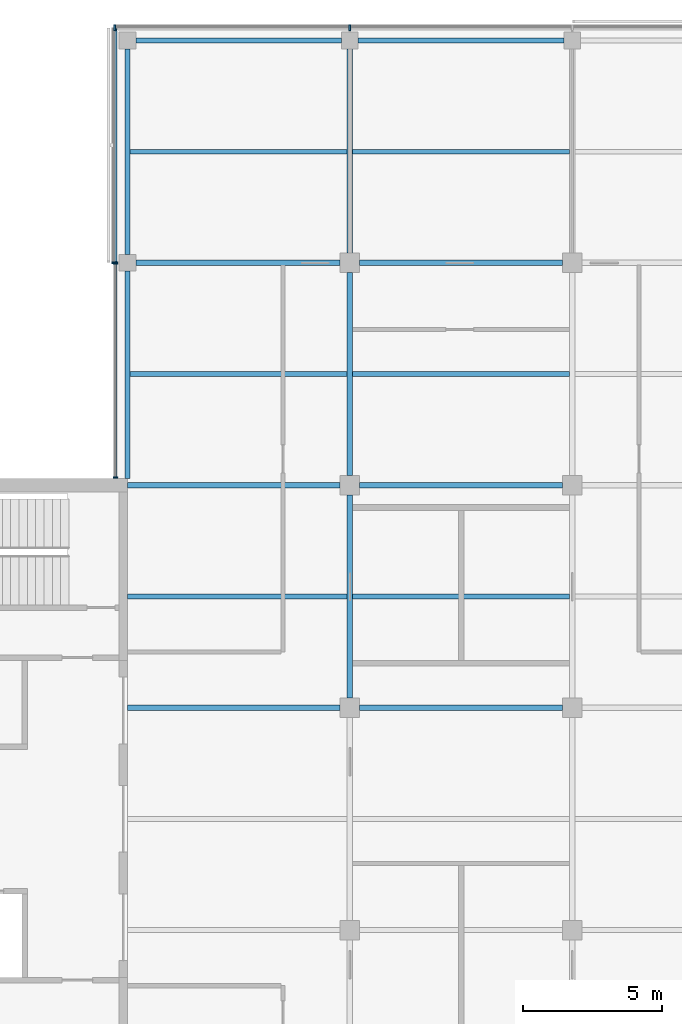
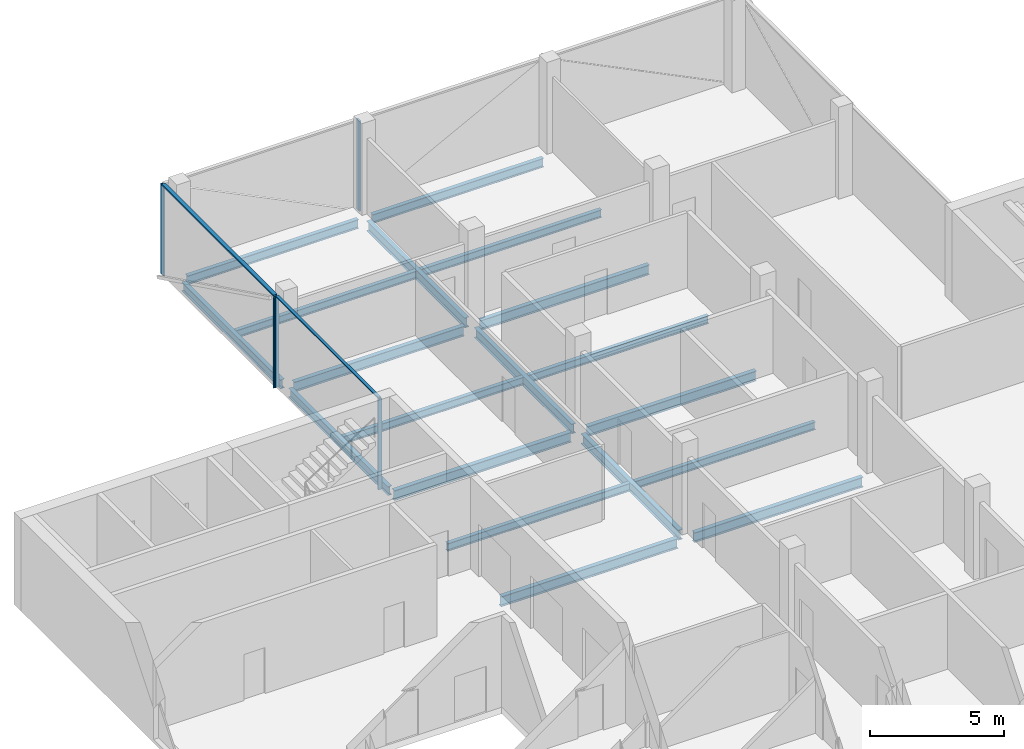
# One storey, part 5 of 16: 19 beams, 7 members, 3 elements without a shape of their own.
"""IFC4 building model written with IfcOpenShell, lengths in metres."""

import ifcopenshell
import ifcopenshell.guid

model = None  # the IFC model being written
_history = None  # IfcOwnerHistory: only IFC2X3 demands one
_inside = {}  # id of a spatial element -> (the spatial element, [elements in it])
_under = {}  # id of a project, library or spatial element -> (it, [spatial elements below it])
_declared = {}  # id of a project -> (the project, [libraries it declares])
_typed = {}  # id of a type object -> (the type object, [elements of that type])
_made_of = {}  # id of a material, layer set ... -> (it, [elements and type objects made of it])


def new_model(schema):
    """Start an empty IFC model of exactly this schema.

    Asked for "IFC4X3", IfcOpenShell would pick the latest addendum, in which some entities
    have other attributes; the version numbers below select the first issue.
    IFC2X3 requires an IfcOwnerHistory on every rooted entity: one is made here for all.
    """
    global model, _history
    if schema == "IFC4X3":
        model = ifcopenshell.file(schema_version=(4, 3, 0, 0))
    else:
        model = ifcopenshell.file(schema=schema)
    _inside.clear()
    _under.clear()
    _declared.clear()
    _typed.clear()
    _made_of.clear()
    _history = None
    if model.schema == "IFC2X3":
        org = make("IfcOrganization", Name="unknown")
        user = make(
            "IfcPersonAndOrganization",
            ThePerson=make("IfcPerson", FamilyName="unknown"),
            TheOrganization=org,
        )
        app = make(
            "IfcApplication",
            ApplicationDeveloper=org,
            Version="unknown",
            ApplicationFullName="unknown",
            ApplicationIdentifier="unknown",
        )
        _history = make(
            "IfcOwnerHistory",
            OwningUser=user,
            OwningApplication=app,
            ChangeAction="ADDED",
            CreationDate=0,
        )
    return model


def make(cls, **values):
    """One entity of the class cls with the attributes given. An attribute that is None is left unset."""
    return model.create_entity(
        cls, **{name: value for name, value in values.items() if value is not None}
    )


def rooted(cls, **values):
    """An entity with a GlobalId (a new one), such as an element, a storey or a relation."""
    return make(cls, GlobalId=ifcopenshell.guid.new(), OwnerHistory=_history, **values)


def si_unit(unit_type, name, prefix=None):
    """IfcSIUnit, for example si_unit("LENGTHUNIT", "METRE", prefix="MILLI")."""
    return make("IfcSIUnit", UnitType=unit_type, Prefix=prefix, Name=name)


def assignment(units):
    """IfcUnitAssignment: the units of a project."""
    return None if units is None else make("IfcUnitAssignment", Units=units)


def point(xyz):
    """IfcCartesianPoint."""
    return None if xyz is None else make("IfcCartesianPoint", Coordinates=xyz)


def direction(xyz):
    """IfcDirection."""
    return None if xyz is None else make("IfcDirection", DirectionRatios=xyz)


def frame(location, z_axis=None, x_axis=None):
    """IfcAxis2Placement3D, a coordinate frame: its origin and axes. An axis left out is left unset."""
    return make(
        "IfcAxis2Placement3D",
        Location=point(location),
        Axis=direction(z_axis),
        RefDirection=direction(x_axis),
    )


def frame_2d(location, x_axis=None):
    """IfcAxis2Placement2D, a coordinate frame in the plane: its origin and x axis."""
    return make(
        "IfcAxis2Placement2D", Location=point(location), RefDirection=direction(x_axis)
    )


def origin():
    """The frame at (0, 0, 0) with its axes left unset."""
    return frame((0.0, 0.0, 0.0))


def origin_2d():
    """The frame at (0, 0) in the plane with its x axis left unset."""
    return frame_2d((0.0, 0.0))


def place(relative_to, where):
    """IfcLocalPlacement: puts the frame where relative to a parent placement (None: the world)."""
    return make(
        "IfcLocalPlacement", PlacementRelTo=relative_to, RelativePlacement=where
    )


def context(
    kind, dimensions, precision=None, world=None, true_north=None, identifier=None
):
    """IfcGeometricRepresentationContext, for example the 3D "Model" context."""
    return make(
        "IfcGeometricRepresentationContext",
        ContextIdentifier=identifier,
        ContextType=kind,
        CoordinateSpaceDimension=dimensions,
        Precision=precision,
        WorldCoordinateSystem=world,
        TrueNorth=true_north,
    )


def subcontext(parent, identifier, kind, view, scale=None):
    """IfcGeometricRepresentationSubContext, for example "Body" below "Model"."""
    return make(
        "IfcGeometricRepresentationSubContext",
        ContextIdentifier=identifier,
        ContextType=kind,
        ParentContext=parent,
        TargetScale=scale,
        TargetView=view,
    )


def project(units=None, contexts=None):
    """IfcProject with its units and contexts."""
    return rooted(
        "IfcProject",
        Name="project",
        RepresentationContexts=contexts,
        UnitsInContext=assignment(units),
    )


def spatial(cls, under=None, at=None, **own):
    """A site, building, storey or space (cls), placed at a placement, below another one or the project."""
    s = rooted(cls, ObjectPlacement=at, **own)
    if under is not None:
        _under.setdefault(under.id(), (under, []))[1].append(s)
    return s


def profile(cls, at=None, kind="AREA", **sizes):
    """A parametric profile (cls). Its sizes go by their IFC names, for example OverallWidth=200.0."""
    return make(cls, ProfileType=kind, Position=at, **sizes)


def rectangle(**sizes):
    """IfcRectangleProfileDef."""
    return profile("IfcRectangleProfileDef", **sizes)


def i_section(**sizes):
    """IfcIShapeProfileDef."""
    return profile("IfcIShapeProfileDef", **sizes)


def extrude(swept, where, along, depth):
    """IfcExtrudedAreaSolid: the profile swept, set in the frame where, extruded along a direction by depth."""
    return make(
        "IfcExtrudedAreaSolid",
        SweptArea=swept,
        Position=where,
        ExtrudedDirection=direction(along),
        Depth=depth,
    )


def shape(context_of_items, identifier, shape_type, items):
    """IfcShapeRepresentation: the items that make up one representation, for example the "Body"."""
    return make(
        "IfcShapeRepresentation",
        ContextOfItems=context_of_items,
        RepresentationIdentifier=identifier,
        RepresentationType=shape_type,
        Items=items,
    )


def material(Name=None, Category=None):
    """IfcMaterial."""
    return make("IfcMaterial", Name=Name, Category=Category)


def material_profile(
    of_material, cross_section, Name=None, Category=None, Priority=None
):
    """IfcMaterialProfile: a cross section and its material."""
    return make(
        "IfcMaterialProfile",
        Name=Name,
        Material=of_material,
        Profile=cross_section,
        Priority=Priority,
        Category=Category,
    )


def profile_set(profiles, Name=None, composite=None):
    """IfcMaterialProfileSet."""
    return make(
        "IfcMaterialProfileSet",
        Name=Name,
        MaterialProfiles=profiles,
        CompositeProfile=composite,
    )


def made_of(thing, what):
    """Note that an element or type object is made of a material, layer set ...; save() writes the relation."""
    if what is not None:
        _made_of.setdefault(what.id(), (what, []))[1].append(thing)
    return thing


def type_object(cls, material=None, **own):
    """A type object (cls), such as IfcWallType, which elements share."""
    return made_of(rooted(cls, **own), material)


def element(
    cls,
    number,
    at=None,
    inside=None,
    cuts=None,
    type_object=None,
    material=None,
    context=None,
    identifier="Body",
    shape_type=None,
    held_by="IfcProductDefinitionShape",
    body=None,
    shapes=None,
    **own,
):
    """One element of the class cls, such as IfcWall. Its Tag is "e" and its number.

    at: its placement. inside: the storey or other place that contains it. cuts: it is an
    opening in that element (IfcRelVoidsElement). A single representation is given by context,
    identifier, shape_type and body (its items); several are given by shapes. held_by: the class
    of the entity that holds the representations. save() writes the other relations.
    """
    e = rooted(cls, Tag="e%d" % number, ObjectPlacement=at, **own)
    if body is not None:
        shapes = [shape(context, identifier, shape_type, body)]
    if shapes is not None:
        e.Representation = make(held_by, Representations=shapes)
    if inside is not None:
        _inside.setdefault(inside.id(), (inside, []))[1].append(e)
    if cuts is not None:
        rooted(
            "IfcRelVoidsElement", RelatingBuildingElement=cuts, RelatedOpeningElement=e
        )
    if type_object is not None:
        _typed.setdefault(type_object.id(), (type_object, []))[1].append(e)
    return made_of(e, material)


def aggregate(whole, parts):
    """IfcRelAggregates: a whole, such as a stair, and the parts it consists of."""
    return rooted("IfcRelAggregates", RelatingObject=whole, RelatedObjects=parts)


def save(model, path):
    """Write the relations noted so far, then the file.

    IfcRelAggregates (storeys below a building ...), IfcRelContainedInSpatialStructure (elements
    in a storey), IfcRelDefinesByType, IfcRelAssociatesMaterial and IfcRelDeclares: one each for
    every whole, place, type object, material and project.
    """
    for whole, parts in _under.values():
        aggregate(whole, parts)
    for where, things in _inside.values():
        rooted(
            "IfcRelContainedInSpatialStructure",
            RelatedElements=things,
            RelatingStructure=where,
        )
    for kind, things in _typed.values():
        rooted("IfcRelDefinesByType", RelatedObjects=things, RelatingType=kind)
    for what, things in _made_of.values():
        rooted("IfcRelAssociatesMaterial", RelatedObjects=things, RelatingMaterial=what)
    for by, libraries in _declared.values():
        rooted("IfcRelDeclares", RelatingContext=by, RelatedDefinitions=libraries)
    model.write(path)


model = new_model("IFC4")

# Units and contexts
model_context = context("Model", 3, precision=1e-05, world=origin(), true_north=direction((0.0, 1.0)))
body_context = subcontext(model_context, "Body", "Model", "MODEL_VIEW")
ifc_project = project(units=[si_unit("LENGTHUNIT", "METRE"), si_unit("AREAUNIT", "SQUARE_METRE"), si_unit("VOLUMEUNIT", "CUBIC_METRE"), si_unit("PLANEANGLEUNIT", "RADIAN"), si_unit("MASSUNIT", "GRAM", prefix="KILO")], contexts=[model_context])

# Site, building, storey
site_placement = place(None, origin())
site = spatial("IfcSite", under=ifc_project, at=site_placement, CompositionType="ELEMENT")
building_placement = place(site_placement, origin())
building = spatial("IfcBuilding", under=site, at=building_placement, Name="Crosswind Convention Tower", CompositionType="ELEMENT")
storey_placement = place(building_placement, frame((0.0, 0.0, 291.300048828125)))
storey = spatial("IfcBuildingStorey", under=building, at=storey_placement, Name="L63", CompositionType="ELEMENT", Elevation=291.300048828125)

# Beams
ifc_material_1 = material(Name="Steel S355", Category="steel")
ifc_material_profile_1 = material_profile(ifc_material_1, i_section(OverallWidth=0.177734375, OverallDepth=0.406494140625, WebThickness=0.0078125, FlangeThickness=0.0126953125, FilletRadius=0.01025390625, at=origin_2d()), Name="UB 406x178x60")
ifc_profile_set_1 = profile_set([ifc_material_profile_1], Name="Steel S355")
beam_type_1 = type_object("IfcBeamType", Name="Edge beam UB 406x178x60", PredefinedType="SPANDREL", material=ifc_profile_set_1)
beam_1_placement = place(storey_placement, frame((113.0, 112.25, -0.503173828125), z_axis=(0.0, 1.0, 0.0), x_axis=(-1.0, 0.0, 0.0)))
element("IfcBeam", 1, at=beam_1_placement, inside=storey, type_object=beam_type_1, Name="B15 L63 edge beam 3", PredefinedType="SPANDREL", context=body_context, shape_type="SweptSolid", body=[
    extrude(i_section(OverallWidth=0.177734375, OverallDepth=0.406494140625, WebThickness=0.0078125, FlangeThickness=0.0126953125, FilletRadius=0.01025390625, at=origin_2d()), origin(), (0.0, 0.0, 1.0), 7.449951171875),
])
for number, where, z_axis, x_axis, name in (
    (2, (113.0, 120.300048828125, -0.503173828125), (0.0, 1.0, 0.0), (-1.0, 0.0, 0.0), "B15 L63 edge beam 4"),
    (3, (113.300048828125, 128.0, -0.503173828125), (1.0, 0.0, 0.0), (0.0, 1.0, 0.0), "B15 L63 edge beam 6"),
    (4, (121.300048828125, 128.0, -0.503173828125), (1.0, 0.0, 0.0), (0.0, 1.0, 0.0), "B15 L63 edge beam 8"),
):
    element("IfcBeam", number, at=place(storey_placement, frame(where, z_axis=z_axis, x_axis=x_axis)), inside=storey, type_object=beam_type_1, Name=name, PredefinedType="SPANDREL", context=body_context, shape_type="SweptSolid", body=[
        extrude(i_section(OverallWidth=0.177734375, OverallDepth=0.406494140625, WebThickness=0.0078125, FlangeThickness=0.0126953125, FilletRadius=0.01025390625, at=origin_2d()), origin(), (0.0, 0.0, 1.0), 7.39990234375),
    ])
ifc_material_profile_2 = material_profile(ifc_material_1, i_section(OverallWidth=0.18994140625, OverallDepth=0.45361328125, WebThickness=0.008544921875, FlangeThickness=0.0126953125, FilletRadius=0.01025390625, at=origin_2d()), Name="UB 457x191x67")
ifc_profile_set_2 = profile_set([ifc_material_profile_2], Name="Steel S355")
beam_type_2 = type_object("IfcBeamType", Name="Girder UB 457x191x67", PredefinedType="BEAM", material=ifc_profile_set_2)
beam_2_placement = place(storey_placement, frame((113.300048828125, 120.0, -0.52685546875), z_axis=(1.0, 0.0, 0.0), x_axis=(0.0, 1.0, 0.0)))
element("IfcBeam", 5, at=beam_2_placement, inside=storey, type_object=beam_type_2, Name="B1 L63 girder 2", PredefinedType="BEAM", context=body_context, shape_type="SweptSolid", body=[
    extrude(i_section(OverallWidth=0.18994140625, OverallDepth=0.45361328125, WebThickness=0.008544921875, FlangeThickness=0.0126953125, FilletRadius=0.01025390625, at=origin_2d()), origin(), (0.0, 0.0, 1.0), 7.349853515625),
])
for number, where, z_axis, x_axis, name in (
    (6, (121.0, 104.35009765625, -0.52685546875), (0.0, 1.0, 0.0), (-1.0, 0.0, 0.0), "B1 L63 girder 7"),
    (7, (121.0, 112.35009765625, -0.52685546875), (0.0, 1.0, 0.0), (-1.0, 0.0, 0.0), "B1 L63 girder 8"),
):
    element("IfcBeam", number, at=place(storey_placement, frame(where, z_axis=z_axis, x_axis=x_axis)), inside=storey, type_object=beam_type_2, Name=name, PredefinedType="BEAM", context=body_context, shape_type="SweptSolid", body=[
        extrude(i_section(OverallWidth=0.18994140625, OverallDepth=0.45361328125, WebThickness=0.008544921875, FlangeThickness=0.0126953125, FilletRadius=0.01025390625, at=origin_2d()), origin(), (0.0, 0.0, 1.0), 7.2998046875),
    ])
beam_3_placement = place(storey_placement, frame((121.0, 120.35009765625, -0.52685546875), z_axis=(0.0, 1.0, 0.0), x_axis=(-1.0, 0.0, 0.0)))
element("IfcBeam", 8, at=beam_3_placement, inside=storey, type_object=beam_type_2, Name="B1 L63 girder 9", PredefinedType="BEAM", context=body_context, shape_type="SweptSolid", body=[
    extrude(i_section(OverallWidth=0.18994140625, OverallDepth=0.45361328125, WebThickness=0.008544921875, FlangeThickness=0.0126953125, FilletRadius=0.01025390625, at=origin_2d()), origin(), (0.0, 0.0, 1.0), 7.349853515625),
])
for number, where, z_axis, x_axis, name in (
    (9, (121.35009765625, 104.0, -0.52685546875), (1.0, 0.0, 0.0), (0.0, 1.0, 0.0), "B1 L63 girder 13"),
    (10, (121.35009765625, 112.0, -0.52685546875), (1.0, 0.0, 0.0), (0.0, 1.0, 0.0), "B1 L63 girder 14"),
    (11, (121.35009765625, 120.0, -0.52685546875), (1.0, 0.0, 0.0), (0.0, 1.0, 0.0), "B1 L63 girder 15"),
):
    element("IfcBeam", number, at=place(storey_placement, frame(where, z_axis=z_axis, x_axis=x_axis)), inside=storey, type_object=beam_type_2, Name=name, PredefinedType="BEAM", context=body_context, shape_type="SweptSolid", body=[
        extrude(i_section(OverallWidth=0.18994140625, OverallDepth=0.45361328125, WebThickness=0.008544921875, FlangeThickness=0.0126953125, FilletRadius=0.01025390625, at=origin_2d()), origin(), (0.0, 0.0, 1.0), 7.2998046875),
    ])
ifc_material_profile_3 = material_profile(ifc_material_1, i_section(OverallWidth=0.1904296875, OverallDepth=0.457275390625, WebThickness=0.009033203125, FlangeThickness=0.014404296875, FilletRadius=0.01025390625, at=origin_2d()), Name="UB 457x191x75")
ifc_profile_set_3 = profile_set([ifc_material_profile_3], Name="Steel S355")
beam_type_3 = type_object("IfcBeamType", Name="Girder at core wall UB 457x191x75", PredefinedType="BEAM", material=ifc_profile_set_3)
for number, where, z_axis, x_axis, name in (
    (12, (113.0, 104.0, -0.528564453125), (1.0, 0.0, 0.0), (0.0, 1.0, 0.0), "B22 L63 girder at core wall 3"),
    (13, (113.0, 112.0, -0.528564453125), (1.0, 0.0, 0.0), (0.0, 1.0, 0.0), "B22 L63 girder at core wall 4"),
):
    element("IfcBeam", number, at=place(storey_placement, frame(where, z_axis=z_axis, x_axis=x_axis)), inside=storey, type_object=beam_type_3, Name=name, PredefinedType="BEAM", context=body_context, shape_type="SweptSolid", body=[
        extrude(i_section(OverallWidth=0.1904296875, OverallDepth=0.457275390625, WebThickness=0.009033203125, FlangeThickness=0.014404296875, FilletRadius=0.01025390625, at=origin_2d()), origin(), (0.0, 0.0, 1.0), 7.64990234375),
    ])

# Curtain wall, members
ifc_material_2 = material(Name="Aluminium unitised curtain wall", Category="aluminium")
curtain_wall_type_1 = type_object("IfcCurtainWallType", Name="CORE END SLOT WALL 160", PredefinedType="USERDEFINED", material=ifc_material_2)
curtain_wall_1_placement = place(storey_placement, origin())
curtain_wall_1 = element("IfcCurtainWall", 14, at=curtain_wall_1_placement, inside=storey, type_object=curtain_wall_type_1, Name="CW6 L63 N-W.1-2 slot", ObjectType="UNITISED", PredefinedType="USERDEFINED")
ifc_material_3 = material(Name="Aluminium mullion", Category="aluminium")
ifc_material_profile_4 = material_profile(ifc_material_3, rectangle(XDim=0.159912109375, YDim=0.050048828125, at=origin_2d()), Name="AL 160X50")
ifc_profile_set_4 = profile_set([ifc_material_profile_4], Name="Aluminium mullion")
member_type_1 = type_object("IfcMemberType", Name="MULLION 50X160", PredefinedType="MULLION", material=ifc_profile_set_4)
member_1_placement = place(storey_placement, frame((112.570068359375, 119.97509765625, -0.300048828125), z_axis=(0.0, 0.0, 1.0), x_axis=(-1.0, 0.0, 0.0)))
member_1 = element("IfcMember", 15, at=member_1_placement, type_object=member_type_1, Name="CW6 mullion 1", PredefinedType="MULLION", context=body_context, shape_type="SweptSolid", body=[
    extrude(rectangle(XDim=0.159912109375, YDim=0.050048828125, at=origin_2d()), origin(), (0.0, 0.0, 1.0), 4.14990234375),
])
member_2_placement = place(storey_placement, frame((112.570068359375, 112.27490234375, -0.300048828125), z_axis=(0.0, 0.0, 1.0), x_axis=(-1.0, 0.0, 0.0)))
member_2 = element("IfcMember", 16, at=member_2_placement, type_object=member_type_1, Name="CW6 mullion 2", PredefinedType="MULLION", context=body_context, shape_type="SweptSolid", body=[
    extrude(rectangle(XDim=0.159912109375, YDim=0.050048828125, at=origin_2d()), origin(), (0.0, 0.0, 1.0), 4.14990234375),
])

curtain_wall_type_2 = type_object("IfcCurtainWallType", Name="OFFICE UNITISED WALL 220", PredefinedType="USERDEFINED", material=ifc_material_2)
curtain_wall_2_placement = place(storey_placement, origin())
curtain_wall_2 = element("IfcCurtainWall", 17, at=curtain_wall_2_placement, inside=storey, type_object=curtain_wall_type_2, Name="CW3 L63 N-TIP 1", ObjectType="UNITISED", PredefinedType="USERDEFINED")
ifc_material_profile_5 = material_profile(ifc_material_3, rectangle(XDim=0.219970703125, YDim=0.070068359375, at=origin_2d()), Name="AL 220X70")
ifc_profile_set_5 = profile_set([ifc_material_profile_5], Name="Aluminium mullion")
member_type_2 = type_object("IfcMemberType", Name="MULLION 70X220", PredefinedType="MULLION", material=ifc_profile_set_5)
member_3_placement = place(storey_placement, frame((121.0, 128.4599609375, -0.300048828125), z_axis=(0.0, 0.0, 1.0), x_axis=(0.0, 1.0, 0.0)))
member_3 = element("IfcMember", 18, at=member_3_placement, type_object=member_type_2, Name="CW3 mullion 3", PredefinedType="MULLION", context=body_context, shape_type="SweptSolid", body=[
    extrude(rectangle(XDim=0.219970703125, YDim=0.070068359375, at=origin_2d()), origin(), (0.0, 0.0, 1.0), 4.1298828125),
])
member_4_placement = place(storey_placement, frame((112.5400390625, 128.4599609375, -0.300048828125), z_axis=(0.0, 0.0, 1.0), x_axis=(0.0, 1.0, 0.0)))
member_4 = element("IfcMember", 19, at=member_4_placement, type_object=member_type_2, Name="CW3 mullion 4", PredefinedType="MULLION", context=body_context, shape_type="SweptSolid", body=[
    extrude(rectangle(XDim=0.219970703125, YDim=0.070068359375, at=origin_2d()), origin(), (0.0, 0.0, 1.0), 4.1298828125),
])
aggregate(curtain_wall_2, [member_3, member_4])

# Curtain wall, member
curtain_wall_3_placement = place(storey_placement, origin())
curtain_wall_3 = element("IfcCurtainWall", 20, at=curtain_wall_3_placement, inside=storey, type_object=curtain_wall_type_2, Name="CW3 L63 N-W 1", ObjectType="UNITISED", PredefinedType="USERDEFINED")
member_5_placement = place(storey_placement, frame((112.5400390625, 120.0, -0.300048828125), z_axis=(0.0, 0.0, 1.0), x_axis=(-1.0, 0.0, 0.0)))
member_5 = element("IfcMember", 21, at=member_5_placement, type_object=member_type_2, Name="CW3 mullion 2", PredefinedType="MULLION", context=body_context, shape_type="SweptSolid", body=[
    extrude(rectangle(XDim=0.219970703125, YDim=0.070068359375, at=origin_2d()), origin(), (0.0, 0.0, 1.0), 4.1298828125),
])

# Beams
ifc_material_profile_6 = material_profile(ifc_material_1, i_section(OverallWidth=0.17138671875, OverallDepth=0.355712890625, WebThickness=0.00732421875, FlangeThickness=0.011474609375, FilletRadius=0.01025390625, at=origin_2d()), Name="UB 356x171x51")
ifc_profile_set_6 = profile_set([ifc_material_profile_6], Name="Steel S355")
beam_type_4 = type_object("IfcBeamType", Name="Secondary beam UB 356x171x51", PredefinedType="JOIST", material=ifc_profile_set_6)
beam_4_placement = place(storey_placement, frame((113.0, 108.0, -0.477783203125), z_axis=(1.0, 0.0, 0.0), x_axis=(0.0, 1.0, 0.0)))
element("IfcBeam", 22, at=beam_4_placement, inside=storey, type_object=beam_type_4, Name="B8 L63 secondary beam 3", PredefinedType="JOIST", context=body_context, shape_type="SweptSolid", body=[
    extrude(i_section(OverallWidth=0.17138671875, OverallDepth=0.355712890625, WebThickness=0.00732421875, FlangeThickness=0.011474609375, FilletRadius=0.01025390625, at=origin_2d()), origin(), (0.0, 0.0, 1.0), 7.905029296875),
])
for number, where, z_axis, x_axis, name in (
    (23, (113.0888671875, 116.0, -0.477783203125), (1.0, 0.0, 0.0), (0.0, 1.0, 0.0), "B8 L63 secondary beam 6"),
    (24, (113.0888671875, 124.0, -0.477783203125), (1.0, 0.0, 0.0), (0.0, 1.0, 0.0), "B8 L63 secondary beam 7"),
):
    element("IfcBeam", number, at=place(storey_placement, frame(where, z_axis=z_axis, x_axis=x_axis)), inside=storey, type_object=beam_type_4, Name=name, PredefinedType="JOIST", context=body_context, shape_type="SweptSolid", body=[
        extrude(i_section(OverallWidth=0.17138671875, OverallDepth=0.355712890625, WebThickness=0.00732421875, FlangeThickness=0.011474609375, FilletRadius=0.01025390625, at=origin_2d()), origin(), (0.0, 0.0, 1.0), 7.816162109375),
    ])
for number, where, z_axis, x_axis, name in (
    (25, (121.094970703125, 108.0, -0.477783203125), (1.0, 0.0, 0.0), (0.0, 1.0, 0.0), "B8 L63 secondary beam 12"),
    (26, (121.094970703125, 116.0, -0.477783203125), (1.0, 0.0, 0.0), (0.0, 1.0, 0.0), "B8 L63 secondary beam 13"),
    (27, (121.094970703125, 124.0, -0.477783203125), (1.0, 0.0, 0.0), (0.0, 1.0, 0.0), "B8 L63 secondary beam 14"),
):
    element("IfcBeam", number, at=place(storey_placement, frame(where, z_axis=z_axis, x_axis=x_axis)), inside=storey, type_object=beam_type_4, Name=name, PredefinedType="JOIST", context=body_context, shape_type="SweptSolid", body=[
        extrude(i_section(OverallWidth=0.17138671875, OverallDepth=0.355712890625, WebThickness=0.00732421875, FlangeThickness=0.011474609375, FilletRadius=0.01025390625, at=origin_2d()), origin(), (0.0, 0.0, 1.0), 7.81005859375),
    ])

# Member
ifc_material_4 = material(Name="Aluminium transom", Category="aluminium")
ifc_material_profile_7 = material_profile(ifc_material_4, rectangle(XDim=0.1201171875, YDim=0.050048828125, at=origin_2d()), Name="AL 120X50")
ifc_profile_set_7 = profile_set([ifc_material_profile_7], Name="Aluminium transom")
member_type_3 = type_object("IfcMemberType", Name="TRANSOM 50X120", PredefinedType="USERDEFINED", material=ifc_profile_set_7)
member_6_placement = place(storey_placement, frame((112.570068359375, 119.949951171875, 3.875), z_axis=(0.0, -1.0, 0.0), x_axis=(1.0, 0.0, 0.0)))
member_6 = element("IfcMember", 28, at=member_6_placement, type_object=member_type_3, Name="CW6 transom", ObjectType="TRANSOM", PredefinedType="USERDEFINED", context=body_context, shape_type="SweptSolid", body=[
    extrude(rectangle(XDim=0.1201171875, YDim=0.050048828125, at=origin_2d()), origin(), (0.0, 0.0, 1.0), 7.64990234375),
])

aggregate(curtain_wall_1, [member_1, member_2, member_6])

ifc_material_profile_8 = material_profile(ifc_material_4, rectangle(XDim=0.159912109375, YDim=0.070068359375, at=origin_2d()), Name="AL 160X70")
ifc_profile_set_8 = profile_set([ifc_material_profile_8], Name="Aluminium transom")
member_type_4 = type_object("IfcMemberType", Name="TRANSOM 70X160", PredefinedType="USERDEFINED", material=ifc_profile_set_8)
member_7_placement = place(storey_placement, frame((112.5400390625, 128.425048828125, 3.864990234375), z_axis=(0.0, -1.0, 0.0), x_axis=(1.0, 0.0, 0.0)))
member_7 = element("IfcMember", 29, at=member_7_placement, type_object=member_type_4, Name="CW3 transom", ObjectType="TRANSOM", PredefinedType="USERDEFINED", context=body_context, shape_type="SweptSolid", body=[
    extrude(rectangle(XDim=0.159912109375, YDim=0.070068359375, at=origin_2d()), origin(), (0.0, 0.0, 1.0), 8.39013671875),
])

aggregate(curtain_wall_3, [member_5, member_7])

save(model, "model.ifc")
